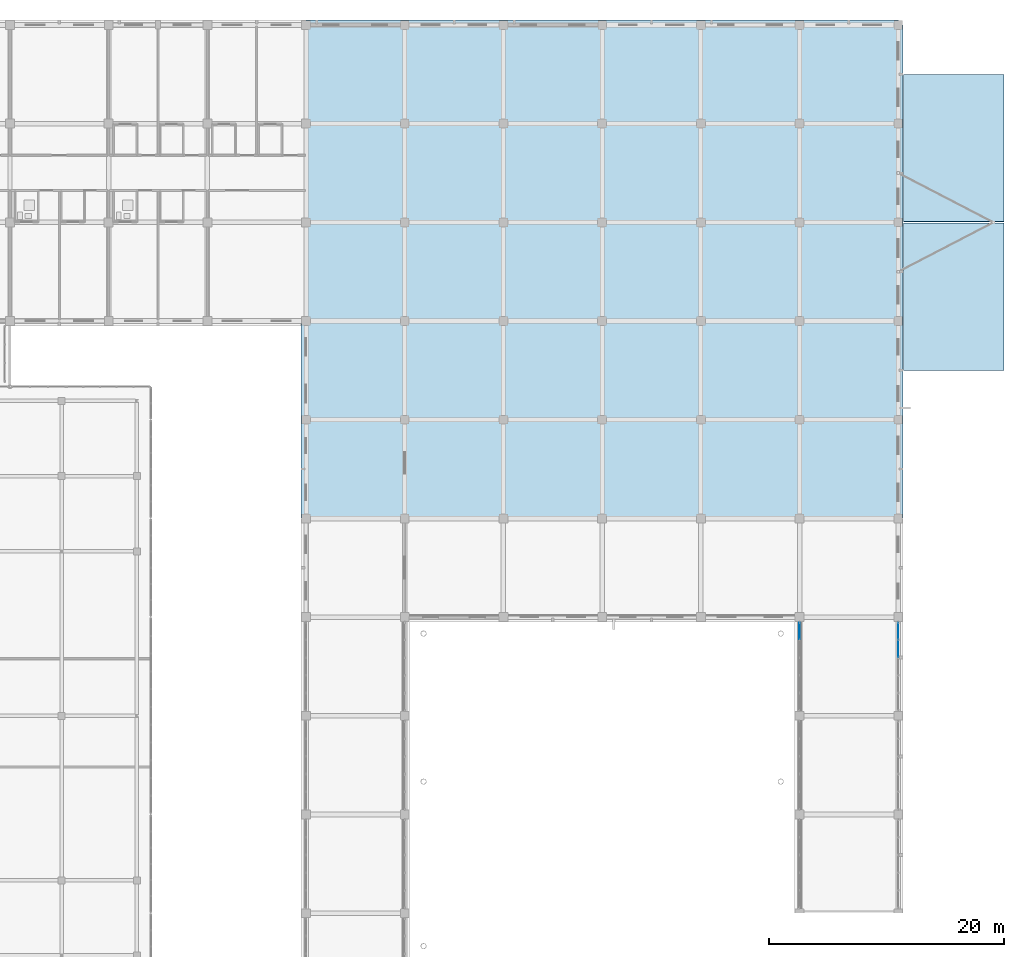
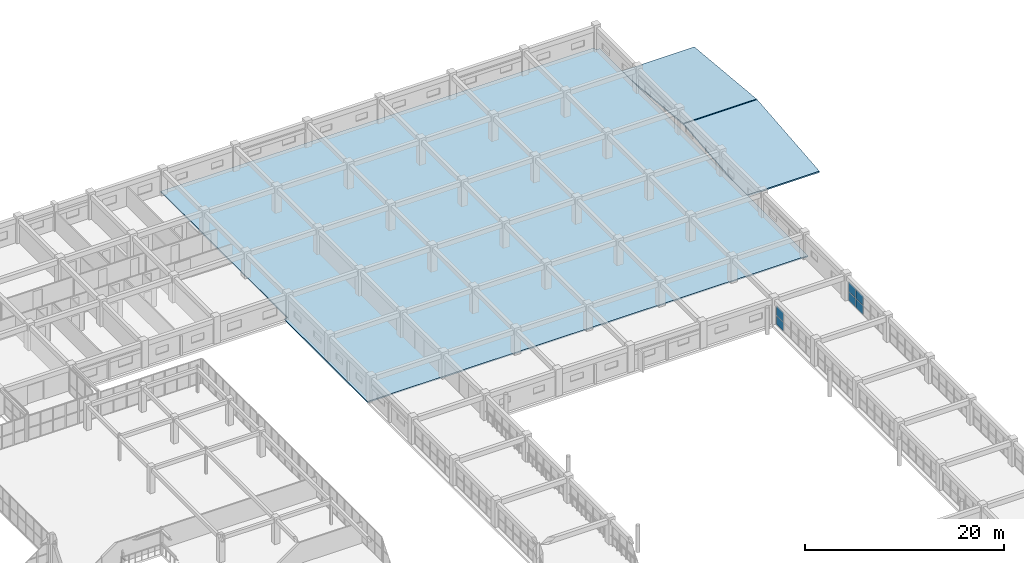
# One storey, part 160 of 200: 6 plates, 3 slabs, 2 elements without a shape of their own.
"""IFC4 building model written with IfcOpenShell, lengths in metres."""

from ifc_helpers import new_model, si_unit, direction, frame, origin, origin_2d, place, context, subcontext, project, spatial, polyline, rectangle, outline, extrude, material, layer, layer_set, type_object, element, aggregate, save


model = new_model("IFC4")

# Units and contexts
model_context = context("Model", 3, precision=1e-05, world=origin(), true_north=direction((0.0, 1.0)))
body_context = subcontext(model_context, "Body", "Model", "MODEL_VIEW")
ifc_project = project(units=[si_unit("LENGTHUNIT", "METRE"), si_unit("AREAUNIT", "SQUARE_METRE"), si_unit("VOLUMEUNIT", "CUBIC_METRE"), si_unit("PLANEANGLEUNIT", "RADIAN"), si_unit("MASSUNIT", "GRAM", prefix="KILO")], contexts=[model_context])

# Site, building, storey
site_placement = place(None, origin())
site = spatial("IfcSite", under=ifc_project, at=site_placement, CompositionType="ELEMENT")
building_placement = place(site_placement, origin())
building = spatial("IfcBuilding", under=site, at=building_placement, Name="Trelvath General Hospital", CompositionType="ELEMENT")
storey_placement = place(building_placement, frame((0.0, 0.0, 4.800048828125)))
storey = spatial("IfcBuildingStorey", under=building, at=storey_placement, Name="L01", CompositionType="ELEMENT", Elevation=4.800048828125)

# Slabs
ifc_material_1 = material(Name="Concrete C40/50", Category="concrete")
ifc_layer_1 = layer(ifc_material_1, 0.179931640625)
ifc_layer_set_1 = layer_set([ifc_layer_1], Name="Concrete C40/50")
slab_type_1 = type_object("IfcSlabType", Name="CanopySlab 180", PredefinedType="ROOF", material=ifc_layer_set_1)
slab_1_placement = place(storey_placement, frame((185.25, 88.199951171875, -0.25), z_axis=(0.0, -0.095254483071, 0.995452953913), x_axis=(1.0, 0.0, 0.0)))
element("IfcSlab", 1, at=slab_1_placement, inside=storey, type_object=slab_type_1, Name="Folded Concrete Ambulance Canopy S", PredefinedType="ROOF", context=body_context, shape_type="SweptSolid", body=[
    extrude(outline(polyline([(0.0, 0.0), (8.550048828125, 0.0), (8.550048828125, 12.59731965554221), (0.0, 12.59731965554221), (0.0, 0.0)])), origin(), (0.0, 0.0, -1.0), 0.179931640625),
])
slab_2_placement = place(storey_placement, frame((185.25, 100.860107421875, 0.949951171875), z_axis=(0.0, 0.095256320779, 0.995452778062), x_axis=(1.0, 0.0, 0.0)))
element("IfcSlab", 2, at=slab_2_placement, inside=storey, type_object=slab_type_1, Name="Folded Concrete Ambulance Canopy N", PredefinedType="ROOF", context=body_context, shape_type="SweptSolid", body=[
    extrude(outline(polyline([(0.0, 0.0), (8.550048828125, 0.0), (8.550048828125, 12.597076625057348), (0.0, 12.597076625057348), (0.0, 0.0)])), origin(), (0.0, 0.0, -1.0), 0.179931640625),
])

# Curtain wall, plates
ifc_material_2 = material(Name="Anodised aluminium and low-E glass", Category="aluminium")
ifc_layer_2 = layer(ifc_material_2, 0.179931640625)
ifc_layer_set_2 = layer_set([ifc_layer_2], Name="Anodised aluminium and low-E glass")
curtain_wall_type = type_object("IfcCurtainWallType", Name="CW Facade 754 242 18", PredefinedType="USERDEFINED", material=ifc_layer_set_2)
curtain_wall_1_placement = place(storey_placement, origin())
curtain_wall_1 = element("IfcCurtainWall", 3, at=curtain_wall_1_placement, inside=storey, type_object=curtain_wall_type, Name="Facade Curtain Wall CW-038", ObjectType="Unitised Glazed Curtain Wall", PredefinedType="USERDEFINED")
ifc_material_3 = material(Name="Low-E laminated glass", Category="glass")
ifc_layer_3 = layer(ifc_material_3, 0.035888671875)
ifc_layer_set_3 = layer_set([ifc_layer_3], Name="Low-E laminated glass")
plate_type = type_object("IfcPlateType", Name="CurtainPanel Glass36", PredefinedType="CURTAIN_PANEL", material=ifc_layer_set_3)
plate_1_placement = place(storey_placement, frame((176.39990234375, 65.999755859375, 0.06494140625), z_axis=(0.0, 0.0, 1.0), x_axis=(0.0, 1.0, 0.0)))
plate_1 = element("IfcPlate", 4, at=plate_1_placement, type_object=plate_type, Name="CW-038 panel 5.1", PredefinedType="CURTAIN_PANEL", context=body_context, shape_type="SweptSolid", body=[
    extrude(rectangle(XDim=1.410400390625, YDim=0.035888671875, at=origin_2d()), origin(), (0.0, 0.0, 1.0), 1.064453125),
])
plate_2_placement = place(storey_placement, frame((176.39990234375, 65.999755859375, 1.1943359375), z_axis=(0.0, 0.0, 1.0), x_axis=(0.0, 1.0, 0.0)))
plate_2 = element("IfcPlate", 5, at=plate_2_placement, type_object=plate_type, Name="CW-038 panel 5.2", PredefinedType="CURTAIN_PANEL", context=body_context, shape_type="SweptSolid", body=[
    extrude(rectangle(XDim=1.410400390625, YDim=0.035888671875, at=origin_2d()), origin(), (0.0, 0.0, 1.0), 1.160400390625),
])
aggregate(curtain_wall_1, [plate_1, plate_2])

curtain_wall_2_placement = place(storey_placement, origin())
curtain_wall_2 = element("IfcCurtainWall", 6, at=curtain_wall_2_placement, inside=storey, type_object=curtain_wall_type, Name="Facade Curtain Wall CW-039", ObjectType="Unitised Glazed Curtain Wall", PredefinedType="USERDEFINED")
plate_3_placement = place(storey_placement, frame((184.800048828125, 65.999755859375, 0.06494140625), z_axis=(0.0, 0.0, 1.0), x_axis=(0.0, -1.0, 0.0)))
plate_3 = element("IfcPlate", 7, at=plate_3_placement, type_object=plate_type, Name="CW-039 panel 1.1", PredefinedType="CURTAIN_PANEL", context=body_context, shape_type="SweptSolid", body=[
    extrude(rectangle(XDim=1.410400390625, YDim=0.035888671875, at=origin_2d()), origin(), (0.0, 0.0, 1.0), 1.064453125),
])
plate_4_placement = place(storey_placement, frame((184.800048828125, 65.999755859375, 1.1943359375), z_axis=(0.0, 0.0, 1.0), x_axis=(0.0, -1.0, 0.0)))
plate_4 = element("IfcPlate", 8, at=plate_4_placement, type_object=plate_type, Name="CW-039 panel 1.2", PredefinedType="CURTAIN_PANEL", context=body_context, shape_type="SweptSolid", body=[
    extrude(rectangle(XDim=1.410400390625, YDim=0.035888671875, at=origin_2d()), origin(), (0.0, 0.0, 1.0), 1.160400390625),
])
plate_5_placement = place(storey_placement, frame((184.800048828125, 64.508056640625, 0.06494140625), z_axis=(0.0, 0.0, 1.0), x_axis=(0.0, -1.0, 0.0)))
plate_5 = element("IfcPlate", 9, at=plate_5_placement, type_object=plate_type, Name="CW-039 panel 2.1", PredefinedType="CURTAIN_PANEL", context=body_context, shape_type="SweptSolid", body=[
    extrude(rectangle(XDim=1.443115234375, YDim=0.035888671875, at=origin_2d()), origin(), (0.0, 0.0, 1.0), 1.064453125),
])
plate_6_placement = place(storey_placement, frame((184.800048828125, 64.508056640625, 1.1943359375), z_axis=(0.0, 0.0, 1.0), x_axis=(0.0, -1.0, 0.0)))
plate_6 = element("IfcPlate", 10, at=plate_6_placement, type_object=plate_type, Name="CW-039 panel 2.2", PredefinedType="CURTAIN_PANEL", context=body_context, shape_type="SweptSolid", body=[
    extrude(rectangle(XDim=1.443115234375, YDim=0.035888671875, at=origin_2d()), origin(), (0.0, 0.0, 1.0), 1.160400390625),
])
aggregate(curtain_wall_2, [plate_3, plate_4, plate_5, plate_6])

# Slab
ifc_material_4 = material(Name="Concrete C35/45", Category="concrete")
ifc_layer_4 = layer(ifc_material_4, 0.159912109375)
ifc_layer_set_4 = layer_set([ifc_layer_4], Name="Concrete C35/45")
slab_type_2 = type_object("IfcSlabType", Name="InterstitialDeck 160", PredefinedType="FLOOR", material=ifc_layer_set_4)
slab_3_placement = place(storey_placement, frame((0.0, 0.0, -0.16015625)))
element("IfcSlab", 11, at=slab_3_placement, inside=storey, type_object=slab_type_2, Name="Floor Slab SL-L01-V2-E1", PredefinedType="FLOOR", context=body_context, shape_type="SweptSolid", body=[
    extrude(outline(polyline([(133.97998046875, 75.6201171875), (133.97998046875, 92.3798828125), (134.39990234375, 92.3798828125), (134.39990234375, 117.60009765625), (134.419921875, 117.60009765625), (134.39990234375, 117.6201171875), (134.39990234375, 118.02001953125), (184.800048828125, 118.02001953125), (184.800048828125, 117.60009765625), (185.219970703125, 117.60009765625), (185.219970703125, 75.6201171875), (133.97998046875, 75.6201171875)])), origin(), (0.0, 0.0, 1.0), 0.16015625),
])

save(model, "model.ifc")
